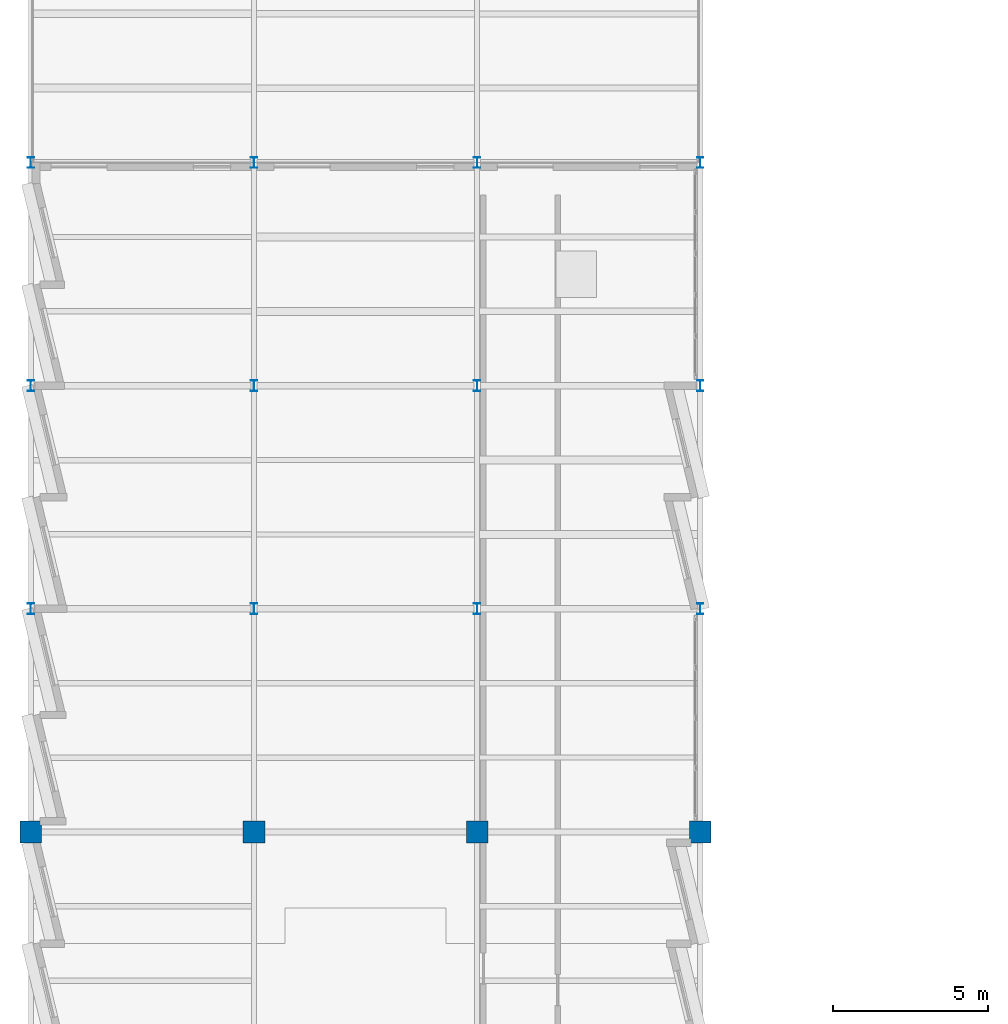
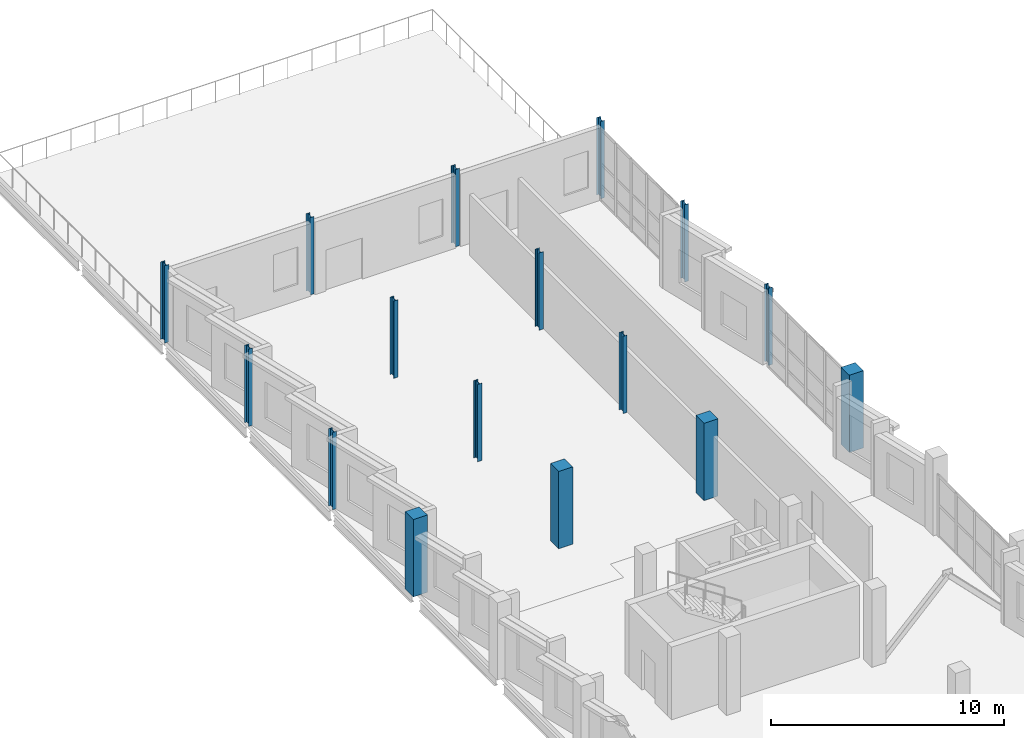
# One storey, part 6 of 33: 16 columns.
"""IFC4 building model written with IfcOpenShell, lengths in metres."""

import ifcopenshell
import ifcopenshell.guid

model = None  # the IFC model being written
_history = None  # IfcOwnerHistory: only IFC2X3 demands one
_inside = {}  # id of a spatial element -> (the spatial element, [elements in it])
_under = {}  # id of a project, library or spatial element -> (it, [spatial elements below it])
_declared = {}  # id of a project -> (the project, [libraries it declares])
_typed = {}  # id of a type object -> (the type object, [elements of that type])
_made_of = {}  # id of a material, layer set ... -> (it, [elements and type objects made of it])


def new_model(schema):
    """Start an empty IFC model of exactly this schema.

    Asked for "IFC4X3", IfcOpenShell would pick the latest addendum, in which some entities
    have other attributes; the version numbers below select the first issue.
    IFC2X3 requires an IfcOwnerHistory on every rooted entity: one is made here for all.
    """
    global model, _history
    if schema == "IFC4X3":
        model = ifcopenshell.file(schema_version=(4, 3, 0, 0))
    else:
        model = ifcopenshell.file(schema=schema)
    _inside.clear()
    _under.clear()
    _declared.clear()
    _typed.clear()
    _made_of.clear()
    _history = None
    if model.schema == "IFC2X3":
        org = make("IfcOrganization", Name="unknown")
        user = make(
            "IfcPersonAndOrganization",
            ThePerson=make("IfcPerson", FamilyName="unknown"),
            TheOrganization=org,
        )
        app = make(
            "IfcApplication",
            ApplicationDeveloper=org,
            Version="unknown",
            ApplicationFullName="unknown",
            ApplicationIdentifier="unknown",
        )
        _history = make(
            "IfcOwnerHistory",
            OwningUser=user,
            OwningApplication=app,
            ChangeAction="ADDED",
            CreationDate=0,
        )
    return model


def make(cls, **values):
    """One entity of the class cls with the attributes given. An attribute that is None is left unset."""
    return model.create_entity(
        cls, **{name: value for name, value in values.items() if value is not None}
    )


def rooted(cls, **values):
    """An entity with a GlobalId (a new one), such as an element, a storey or a relation."""
    return make(cls, GlobalId=ifcopenshell.guid.new(), OwnerHistory=_history, **values)


def si_unit(unit_type, name, prefix=None):
    """IfcSIUnit, for example si_unit("LENGTHUNIT", "METRE", prefix="MILLI")."""
    return make("IfcSIUnit", UnitType=unit_type, Prefix=prefix, Name=name)


def assignment(units):
    """IfcUnitAssignment: the units of a project."""
    return None if units is None else make("IfcUnitAssignment", Units=units)


def point(xyz):
    """IfcCartesianPoint."""
    return None if xyz is None else make("IfcCartesianPoint", Coordinates=xyz)


def direction(xyz):
    """IfcDirection."""
    return None if xyz is None else make("IfcDirection", DirectionRatios=xyz)


def frame(location, z_axis=None, x_axis=None):
    """IfcAxis2Placement3D, a coordinate frame: its origin and axes. An axis left out is left unset."""
    return make(
        "IfcAxis2Placement3D",
        Location=point(location),
        Axis=direction(z_axis),
        RefDirection=direction(x_axis),
    )


def frame_2d(location, x_axis=None):
    """IfcAxis2Placement2D, a coordinate frame in the plane: its origin and x axis."""
    return make(
        "IfcAxis2Placement2D", Location=point(location), RefDirection=direction(x_axis)
    )


def origin():
    """The frame at (0, 0, 0) with its axes left unset."""
    return frame((0.0, 0.0, 0.0))


def origin_2d():
    """The frame at (0, 0) in the plane with its x axis left unset."""
    return frame_2d((0.0, 0.0))


def place(relative_to, where):
    """IfcLocalPlacement: puts the frame where relative to a parent placement (None: the world)."""
    return make(
        "IfcLocalPlacement", PlacementRelTo=relative_to, RelativePlacement=where
    )


def context(
    kind, dimensions, precision=None, world=None, true_north=None, identifier=None
):
    """IfcGeometricRepresentationContext, for example the 3D "Model" context."""
    return make(
        "IfcGeometricRepresentationContext",
        ContextIdentifier=identifier,
        ContextType=kind,
        CoordinateSpaceDimension=dimensions,
        Precision=precision,
        WorldCoordinateSystem=world,
        TrueNorth=true_north,
    )


def subcontext(parent, identifier, kind, view, scale=None):
    """IfcGeometricRepresentationSubContext, for example "Body" below "Model"."""
    return make(
        "IfcGeometricRepresentationSubContext",
        ContextIdentifier=identifier,
        ContextType=kind,
        ParentContext=parent,
        TargetScale=scale,
        TargetView=view,
    )


def project(units=None, contexts=None):
    """IfcProject with its units and contexts."""
    return rooted(
        "IfcProject",
        Name="project",
        RepresentationContexts=contexts,
        UnitsInContext=assignment(units),
    )


def spatial(cls, under=None, at=None, **own):
    """A site, building, storey or space (cls), placed at a placement, below another one or the project."""
    s = rooted(cls, ObjectPlacement=at, **own)
    if under is not None:
        _under.setdefault(under.id(), (under, []))[1].append(s)
    return s


def profile(cls, at=None, kind="AREA", **sizes):
    """A parametric profile (cls). Its sizes go by their IFC names, for example OverallWidth=200.0."""
    return make(cls, ProfileType=kind, Position=at, **sizes)


def rectangle(**sizes):
    """IfcRectangleProfileDef."""
    return profile("IfcRectangleProfileDef", **sizes)


def i_section(**sizes):
    """IfcIShapeProfileDef."""
    return profile("IfcIShapeProfileDef", **sizes)


def extrude(swept, where, along, depth):
    """IfcExtrudedAreaSolid: the profile swept, set in the frame where, extruded along a direction by depth."""
    return make(
        "IfcExtrudedAreaSolid",
        SweptArea=swept,
        Position=where,
        ExtrudedDirection=direction(along),
        Depth=depth,
    )


def shape(context_of_items, identifier, shape_type, items):
    """IfcShapeRepresentation: the items that make up one representation, for example the "Body"."""
    return make(
        "IfcShapeRepresentation",
        ContextOfItems=context_of_items,
        RepresentationIdentifier=identifier,
        RepresentationType=shape_type,
        Items=items,
    )


def material(Name=None, Category=None):
    """IfcMaterial."""
    return make("IfcMaterial", Name=Name, Category=Category)


def material_profile(
    of_material, cross_section, Name=None, Category=None, Priority=None
):
    """IfcMaterialProfile: a cross section and its material."""
    return make(
        "IfcMaterialProfile",
        Name=Name,
        Material=of_material,
        Profile=cross_section,
        Priority=Priority,
        Category=Category,
    )


def profile_set(profiles, Name=None, composite=None):
    """IfcMaterialProfileSet."""
    return make(
        "IfcMaterialProfileSet",
        Name=Name,
        MaterialProfiles=profiles,
        CompositeProfile=composite,
    )


def made_of(thing, what):
    """Note that an element or type object is made of a material, layer set ...; save() writes the relation."""
    if what is not None:
        _made_of.setdefault(what.id(), (what, []))[1].append(thing)
    return thing


def type_object(cls, material=None, **own):
    """A type object (cls), such as IfcWallType, which elements share."""
    return made_of(rooted(cls, **own), material)


def element(
    cls,
    number,
    at=None,
    inside=None,
    cuts=None,
    type_object=None,
    material=None,
    context=None,
    identifier="Body",
    shape_type=None,
    held_by="IfcProductDefinitionShape",
    body=None,
    shapes=None,
    **own,
):
    """One element of the class cls, such as IfcWall. Its Tag is "e" and its number.

    at: its placement. inside: the storey or other place that contains it. cuts: it is an
    opening in that element (IfcRelVoidsElement). A single representation is given by context,
    identifier, shape_type and body (its items); several are given by shapes. held_by: the class
    of the entity that holds the representations. save() writes the other relations.
    """
    e = rooted(cls, Tag="e%d" % number, ObjectPlacement=at, **own)
    if body is not None:
        shapes = [shape(context, identifier, shape_type, body)]
    if shapes is not None:
        e.Representation = make(held_by, Representations=shapes)
    if inside is not None:
        _inside.setdefault(inside.id(), (inside, []))[1].append(e)
    if cuts is not None:
        rooted(
            "IfcRelVoidsElement", RelatingBuildingElement=cuts, RelatedOpeningElement=e
        )
    if type_object is not None:
        _typed.setdefault(type_object.id(), (type_object, []))[1].append(e)
    return made_of(e, material)


def aggregate(whole, parts):
    """IfcRelAggregates: a whole, such as a stair, and the parts it consists of."""
    return rooted("IfcRelAggregates", RelatingObject=whole, RelatedObjects=parts)


def save(model, path):
    """Write the relations noted so far, then the file.

    IfcRelAggregates (storeys below a building ...), IfcRelContainedInSpatialStructure (elements
    in a storey), IfcRelDefinesByType, IfcRelAssociatesMaterial and IfcRelDeclares: one each for
    every whole, place, type object, material and project.
    """
    for whole, parts in _under.values():
        aggregate(whole, parts)
    for where, things in _inside.values():
        rooted(
            "IfcRelContainedInSpatialStructure",
            RelatedElements=things,
            RelatingStructure=where,
        )
    for kind, things in _typed.values():
        rooted("IfcRelDefinesByType", RelatedObjects=things, RelatingType=kind)
    for what, things in _made_of.values():
        rooted("IfcRelAssociatesMaterial", RelatedObjects=things, RelatingMaterial=what)
    for by, libraries in _declared.values():
        rooted("IfcRelDeclares", RelatingContext=by, RelatedDefinitions=libraries)
    model.write(path)


model = new_model("IFC4")

# Units and contexts
model_context = context("Model", 3, precision=1e-05, world=origin(), true_north=direction((0.0, 1.0)))
body_context = subcontext(model_context, "Body", "Model", "MODEL_VIEW")
ifc_project = project(units=[si_unit("LENGTHUNIT", "METRE"), si_unit("AREAUNIT", "SQUARE_METRE"), si_unit("VOLUMEUNIT", "CUBIC_METRE"), si_unit("PLANEANGLEUNIT", "RADIAN"), si_unit("MASSUNIT", "GRAM", prefix="KILO")], contexts=[model_context])

# Site, building, storey
site_placement = place(None, origin())
site = spatial("IfcSite", under=ifc_project, at=site_placement, CompositionType="ELEMENT")
building_placement = place(site_placement, origin())
building = spatial("IfcBuilding", under=site, at=building_placement, Name="Kalmorath City Hall", CompositionType="ELEMENT")
storey_placement = place(building_placement, frame((0.0, 0.0, 22.949951171875)))
storey = spatial("IfcBuildingStorey", under=building, at=storey_placement, Name="L05", CompositionType="ELEMENT", Elevation=22.949951171875)

# Columns
ifc_material_1 = material(Name="Concrete C50/60", Category="concrete")
ifc_material_profile_1 = material_profile(ifc_material_1, rectangle(XDim=0.699951171875, YDim=0.699951171875, at=origin_2d()), Name="RC-COL-700X700")
ifc_profile_set_1 = profile_set([ifc_material_profile_1], Name="Concrete C50/60")
column_type_1 = type_object("IfcColumnType", Name="Concrete column 700x700", PredefinedType="COLUMN", material=ifc_profile_set_1)
for number, where, z_axis, x_axis, name in (
    (1, (0.0, 64.800048828125, 0.0), (0.0, 0.0, 1.0), (1.0, 0.0, 0.0), "L05 column C4 (1/10)"),
    (2, (7.199951171875, 64.800048828125, 0.0), (0.0, 0.0, 1.0), (1.0, 0.0, 0.0), "L05 column C4 (2/10)"),
    (3, (14.39990234375, 64.800048828125, 0.0), (0.0, 0.0, 1.0), (1.0, 0.0, 0.0), "L05 column C4 (3/10)"),
    (4, (21.60009765625, 64.800048828125, 0.0), (0.0, 0.0, 1.0), (1.0, 0.0, 0.0), "L05 column C4 (4/10)"),
):
    element("IfcColumn", number, at=place(storey_placement, frame(where, z_axis=z_axis, x_axis=x_axis)), inside=storey, type_object=column_type_1, Name=name, PredefinedType="COLUMN", context=body_context, shape_type="SweptSolid", body=[
        extrude(rectangle(XDim=0.699951171875, YDim=0.699951171875, at=origin_2d()), origin(), (0.0, 0.0, 1.0), 4.050048828125),
    ])
ifc_material_2 = material(Name="Steel ASTM A992 Grade 50", Category="steel")
ifc_material_profile_2 = material_profile(ifc_material_2, i_section(OverallWidth=0.2041015625, OverallDepth=0.35009765625, WebThickness=0.008544921875, FlangeThickness=0.01513671875, FilletRadius=0.014892578125, at=origin_2d()), Name="W14X48")
ifc_profile_set_2 = profile_set([ifc_material_profile_2], Name="Steel ASTM A992 Grade 50")
column_type_2 = type_object("IfcColumnType", Name="Steel wide-flange column W14X48", PredefinedType="COLUMN", material=ifc_profile_set_2)
for number, where, z_axis, x_axis, name in (
    (5, (0.0, 72.0, 0.0), (0.0, 0.0, 1.0), (1.0, 0.0, 0.0), "L05 column SC6 (1/11)"),
    (6, (0.0, 79.199951171875, 0.0), (0.0, 0.0, 1.0), (1.0, 0.0, 0.0), "L05 column SC6 (1/12)"),
    (7, (0.0, 86.39990234375, 0.0), (0.0, 0.0, 1.0), (1.0, 0.0, 0.0), "L05 column SC6 (1/13)"),
    (8, (7.199951171875, 72.0, 0.0), (0.0, 0.0, 1.0), (1.0, 0.0, 0.0), "L05 column SC6 (2/11)"),
    (9, (7.199951171875, 79.199951171875, 0.0), (0.0, 0.0, 1.0), (1.0, 0.0, 0.0), "L05 column SC6 (2/12)"),
    (10, (7.199951171875, 86.39990234375, 0.0), (0.0, 0.0, 1.0), (1.0, 0.0, 0.0), "L05 column SC6 (2/13)"),
    (11, (14.39990234375, 72.0, 0.0), (0.0, 0.0, 1.0), (1.0, 0.0, 0.0), "L05 column SC6 (3/11)"),
    (12, (14.39990234375, 79.199951171875, 0.0), (0.0, 0.0, 1.0), (1.0, 0.0, 0.0), "L05 column SC6 (3/12)"),
    (13, (14.39990234375, 86.39990234375, 0.0), (0.0, 0.0, 1.0), (1.0, 0.0, 0.0), "L05 column SC6 (3/13)"),
    (14, (21.60009765625, 72.0, 0.0), (0.0, 0.0, 1.0), (1.0, 0.0, 0.0), "L05 column SC6 (4/11)"),
    (15, (21.60009765625, 79.199951171875, 0.0), (0.0, 0.0, 1.0), (1.0, 0.0, 0.0), "L05 column SC6 (4/12)"),
    (16, (21.60009765625, 86.39990234375, 0.0), (0.0, 0.0, 1.0), (1.0, 0.0, 0.0), "L05 column SC6 (4/13)"),
):
    element("IfcColumn", number, at=place(storey_placement, frame(where, z_axis=z_axis, x_axis=x_axis)), inside=storey, type_object=column_type_2, Name=name, PredefinedType="COLUMN", context=body_context, shape_type="SweptSolid", body=[
        extrude(i_section(OverallWidth=0.2041015625, OverallDepth=0.35009765625, WebThickness=0.008544921875, FlangeThickness=0.01513671875, FilletRadius=0.014892578125, at=origin_2d()), origin(), (0.0, 0.0, 1.0), 4.050048828125),
    ])

save(model, "model.ifc")
